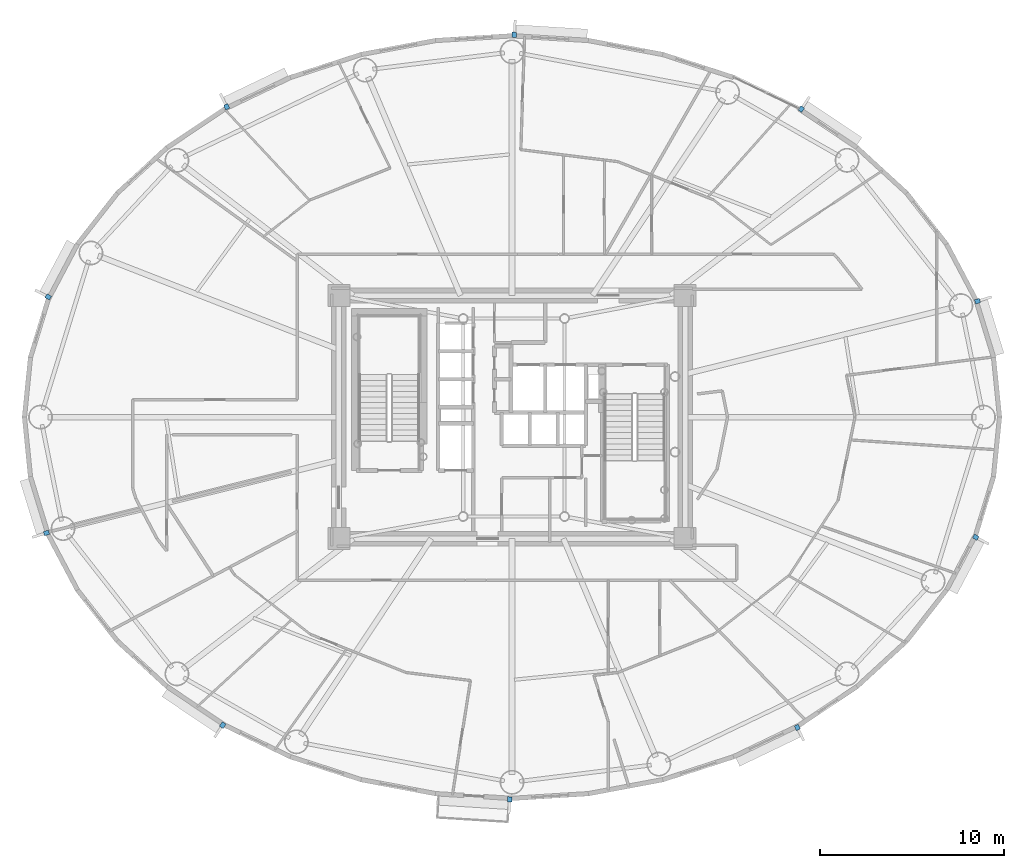
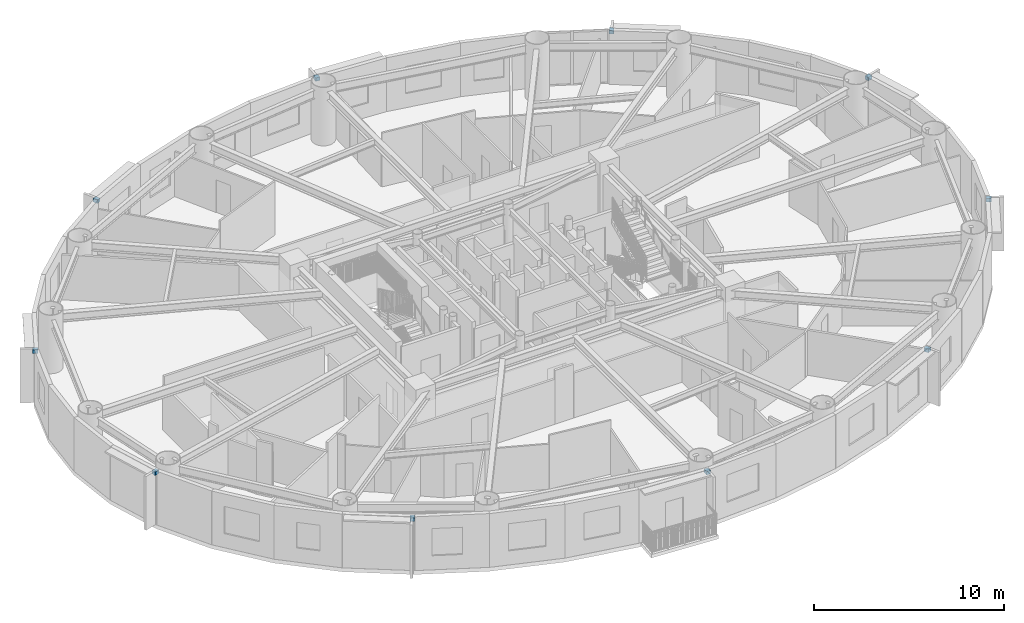
# One storey, part 11 of 17: 10 discrete accessories.
"""IFC4 building model written with IfcOpenShell, lengths in metres."""

from ifc_helpers import new_model, si_unit, direction, frame, origin, origin_2d, place, context, subcontext, project, spatial, rectangle, extrude, source, transform, mapped, material, type_object, element, save


model = new_model("IFC4")

# Units and contexts
model_context = context("Model", 3, precision=1e-05, world=origin(), true_north=direction((0.0, 1.0)))
body_context = subcontext(model_context, "Body", "Model", "MODEL_VIEW")
ifc_project = project(units=[si_unit("LENGTHUNIT", "METRE"), si_unit("AREAUNIT", "SQUARE_METRE"), si_unit("VOLUMEUNIT", "CUBIC_METRE"), si_unit("PLANEANGLEUNIT", "RADIAN"), si_unit("MASSUNIT", "GRAM", prefix="KILO")], contexts=[model_context])

# Site, building, storey
site_placement = place(None, origin())
site = spatial("IfcSite", under=ifc_project, at=site_placement, CompositionType="ELEMENT")
building_placement = place(site_placement, origin())
building = spatial("IfcBuilding", under=site, at=building_placement, Name="Linh Dai School and Residence Tower", CompositionType="ELEMENT")
storey_placement = place(building_placement, frame((0.0, 0.0, 201.14990234375)))
storey = spatial("IfcBuildingStorey", under=building, at=storey_placement, Name="L49", CompositionType="ELEMENT", Elevation=201.14990234375)

# Discrete accessories
ifc_material = material(Name="Structural Steel S355JR", Category="steel")
discrete_accessory_type = type_object("IfcDiscreteAccessoryType", Name="ACC-BRK-S355", PredefinedType="BRACKET", material=ifc_material)
shared_shape = source(origin(), body_context, "Body", "SweptSolid", [
    extrude(rectangle(XDim=0.280029296875, YDim=0.239990234375, at=origin_2d()), origin(), (0.0, 0.0, 1.0), 0.219970703125),
])
for number, where, z_axis, x_axis, name in (
    (1, (61.275146484375, 33.291748046875, 3.2001953125), (0.0, 0.0, 1.0), (0.956075055167, 0.293121969301, 0.0), "L49 Facade Frame Anchor Bracket 02"),
    (2, (51.706298828125, 43.726318359375, 3.2001953125), (0.0, 0.0, 1.0), (0.555931154932, 0.831228338651, 0.0), "L49 Facade Frame Anchor Bracket 06"),
    (3, (36.12353515625, 47.757568359375, 3.2001953125), (0.0, 0.0, 1.0), (0.061512376467, 0.99810632076, 0.0), "L49 Facade Frame Anchor Bracket 10"),
    (4, (20.509033203125, 43.84912109375, 3.2001953125), (0.0, 0.0, 1.0), (-0.432634701653, 0.901569306779, 0.0), "L49 Facade Frame Anchor Bracket 14"),
    (5, (10.8203125, 33.52294921875, 3.2001953125), (0.0, 0.0, 1.0), (-0.883950726378, 0.467580060884, 0.0), "L49 Facade Frame Anchor Bracket 18"),
    (6, (10.724853515625, 20.708251953125, 3.2001953125), (0.0, 0.0, 1.0), (-0.956075055167, -0.293121969301, 0.0), "L49 Facade Frame Anchor Bracket 22"),
    (7, (20.293701171875, 10.273681640625, 3.2001953125), (0.0, 0.0, 1.0), (-0.555931154932, -0.831228338651, 0.0), "L49 Facade Frame Anchor Bracket 26"),
    (8, (35.87646484375, 6.242431640625, 3.2001953125), (0.0, 0.0, 1.0), (-0.061512376467, -0.99810632076, 0.0), "L49 Facade Frame Anchor Bracket 30"),
    (9, (51.490966796875, 10.15087890625, 3.2001953125), (0.0, 0.0, 1.0), (0.432634701653, -0.901569306779, 0.0), "L49 Facade Frame Anchor Bracket 34"),
    (10, (61.1796875, 20.47705078125, 3.2001953125), (0.0, 0.0, 1.0), (0.883950726378, -0.467580060884, 0.0), "L49 Facade Frame Anchor Bracket 38"),
):
    element("IfcDiscreteAccessory", number, at=place(storey_placement, frame(where, z_axis=z_axis, x_axis=x_axis)), inside=storey, type_object=discrete_accessory_type, Name=name, PredefinedType="BRACKET", context=body_context, shape_type="MappedRepresentation", body=[
        mapped(shared_shape, transform((0.0, 0.0, 0.0), x_axis=(1.0, 0.0, 0.0), y_axis=(0.0, 1.0, 0.0), z_axis=(0.0, 0.0, 1.0), scale=1.0)),
    ])

save(model, "model.ifc")
